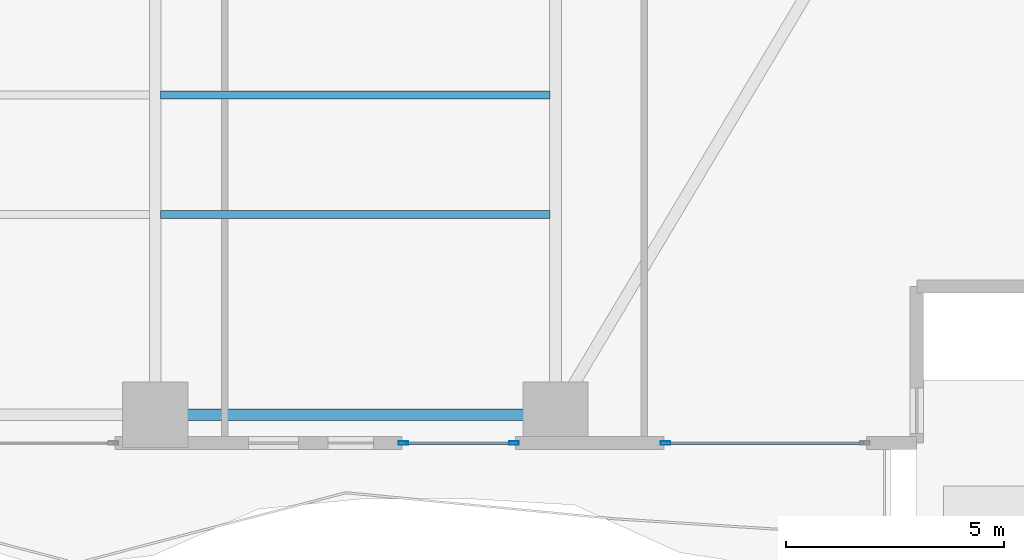
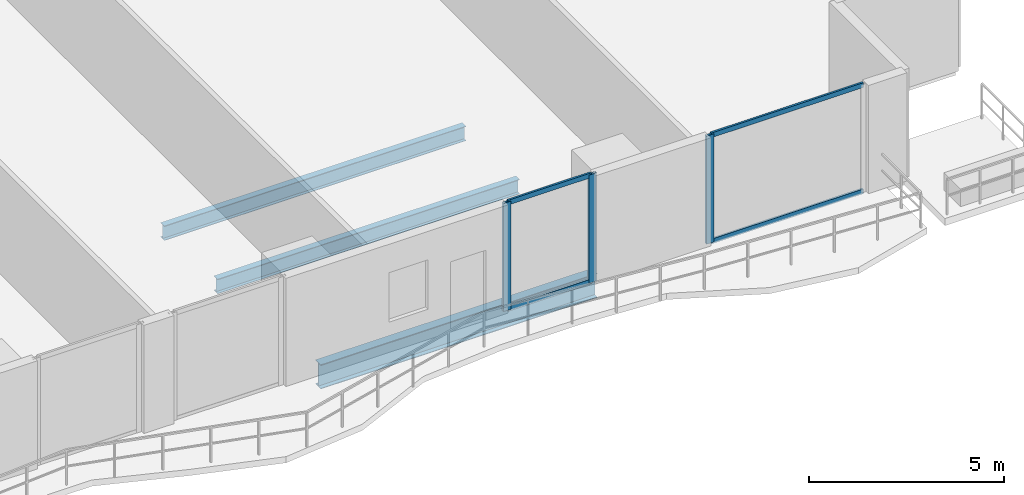
# One storey, part 8 of 30: 7 members, 3 beams, 2 elements without a shape of their own.
"""IFC4 building model written with IfcOpenShell, lengths in metres."""

from ifc_helpers import new_model, si_unit, direction, frame, origin, origin_2d, place, context, subcontext, project, spatial, hollow_rectangle, i_section, extrude, material, layer, layer_set, material_profile, profile_set, type_object, element, aggregate, save


model = new_model("IFC4")

# Units and contexts
model_context = context("Model", 3, precision=1e-05, world=origin(), true_north=direction((0.0, 1.0)))
body_context = subcontext(model_context, "Body", "Model", "MODEL_VIEW")
ifc_project = project(units=[si_unit("LENGTHUNIT", "METRE"), si_unit("AREAUNIT", "SQUARE_METRE"), si_unit("VOLUMEUNIT", "CUBIC_METRE"), si_unit("PLANEANGLEUNIT", "RADIAN"), si_unit("MASSUNIT", "GRAM", prefix="KILO")], contexts=[model_context])

# Site, building, storey
site_placement = place(None, origin())
site = spatial("IfcSite", under=ifc_project, at=site_placement, CompositionType="ELEMENT")
building_placement = place(site_placement, origin())
building = spatial("IfcBuilding", under=site, at=building_placement, Name="Zuhayl Quay Hotel", CompositionType="ELEMENT")
storey_placement = place(building_placement, frame((0.0, 0.0, 86.0)))
storey = spatial("IfcBuildingStorey", under=building, at=storey_placement, Name="L21", CompositionType="ELEMENT", Elevation=86.0)

# Beams
ifc_material_1 = material(Name="Steel ASTM A992 Grade 50", Category="steel")
ifc_material_profile_1 = material_profile(ifc_material_1, i_section(OverallWidth=0.26708984375, OverallDepth=0.761962890625, WebThickness=0.014404296875, FlangeThickness=0.021484375, at=origin_2d()), Name="W30X116")
ifc_profile_set_1 = profile_set([ifc_material_profile_1], Name="Steel ASTM A992 Grade 50")
beam_type_1 = type_object("IfcBeamType", Name="BM_B1_W30X116", PredefinedType="BEAM", material=ifc_profile_set_1)
beam_placement = place(storey_placement, frame((5.10009765625, -22.449951171875, -0.60107421875), z_axis=(1.0, 0.0, 0.0), x_axis=(0.0, 1.0, 0.0)))
element("IfcBeam", 1, at=beam_placement, inside=storey, type_object=beam_type_1, Name="L21 Floor Beam RG_L21_03", PredefinedType="BEAM", context=body_context, shape_type="SweptSolid", body=[
    extrude(i_section(OverallWidth=0.26708984375, OverallDepth=0.761962890625, WebThickness=0.014404296875, FlangeThickness=0.021484375, at=origin_2d()), origin(), (0.0, 0.0, 1.0), 8.199951171875),
])
ifc_material_profile_2 = material_profile(ifc_material_1, i_section(OverallWidth=0.18994140625, OverallDepth=0.45703125, WebThickness=0.009033203125, FlangeThickness=0.014404296875, at=origin_2d()), Name="W18X50")
ifc_profile_set_2 = profile_set([ifc_material_profile_2], Name="Steel ASTM A992 Grade 50")
beam_type_2 = type_object("IfcBeamType", Name="BM_J2_W18X50", PredefinedType="JOIST", material=ifc_profile_set_2)
for number, where, z_axis, x_axis, name in (
    (2, (4.7255859375, -17.85009765625, -0.448486328125), (1.0, 0.0, 0.0), (0.0, 1.0, 0.0), "L21 Floor Beam FJ_L21_3_3"),
    (3, (4.7255859375, -15.10009765625, -0.448486328125), (1.0, 0.0, 0.0), (0.0, 1.0, 0.0), "L21 Floor Beam FJ_L21_4_3"),
):
    element("IfcBeam", number, at=place(storey_placement, frame(where, z_axis=z_axis, x_axis=x_axis)), inside=storey, type_object=beam_type_2, Name=name, PredefinedType="JOIST", context=body_context, shape_type="SweptSolid", body=[
        extrude(i_section(OverallWidth=0.18994140625, OverallDepth=0.45703125, WebThickness=0.009033203125, FlangeThickness=0.014404296875, at=origin_2d()), origin(), (0.0, 0.0, 1.0), 8.948974609375),
    ])

# Curtain wall, member
ifc_material_2 = material(Name="Anodised Aluminium 6063-T6", Category="aluminium")
ifc_layer = layer(ifc_material_2, 0.18994140625, Name="Anodised Aluminium 6063-T6", Category="aluminium")
ifc_layer_set = layer_set([ifc_layer], Name="Anodised Aluminium 6063-T6")
curtain_wall_type = type_object("IfcCurtainWallType", Name="CW_SYS_Z1", PredefinedType="USERDEFINED", material=ifc_layer_set)
curtain_wall_1_placement = place(storey_placement, origin())
curtain_wall_1 = element("IfcCurtainWall", 4, at=curtain_wall_1_placement, inside=storey, type_object=curtain_wall_type, Name="L21 Curtain Wall ENV_L21_S_CW1", ObjectType="UNITISED CURTAIN WALL", PredefinedType="USERDEFINED")
ifc_material_3 = material(Name="Black-anodised aluminium 6063-T6", Category="aluminium")
ifc_material_profile_3 = material_profile(ifc_material_3, hollow_rectangle(XDim=0.074951171875, YDim=0.219970703125, WallThickness=0.00390625, at=origin_2d()), Name="ALU220X75")
ifc_profile_set_3 = profile_set([ifc_material_profile_3], Name="Black-anodised aluminium 6063-T6")
member_type_1 = type_object("IfcMemberType", Name="MB_CW_MUL_220", PredefinedType="MULLION", material=ifc_profile_set_3)
member_1_placement = place(storey_placement, frame((16.327392578125, -23.10009765625, 0.0), z_axis=(0.0, 0.0, 1.0), x_axis=(0.0, -1.0, 0.0)))
member_1 = element("IfcMember", 5, at=member_1_placement, type_object=member_type_1, Name="CW-Z1 mullion 2", PredefinedType="MULLION", context=body_context, shape_type="SweptSolid", body=[
    extrude(hollow_rectangle(XDim=0.074951171875, YDim=0.219970703125, WallThickness=0.00390625, at=origin_2d()), origin(), (0.0, 0.0, 1.0), 3.389892578125),
])

# Curtain wall, members
curtain_wall_2_placement = place(storey_placement, origin())
curtain_wall_2 = element("IfcCurtainWall", 6, at=curtain_wall_2_placement, inside=storey, type_object=curtain_wall_type, Name="L21 Curtain Wall ENV_L21_S_CW2", ObjectType="UNITISED CURTAIN WALL", PredefinedType="USERDEFINED")
member_2_placement = place(storey_placement, frame((12.842529296875, -23.10009765625, 0.0), z_axis=(0.0, 0.0, 1.0), x_axis=(0.0, -1.0, 0.0)))
member_2 = element("IfcMember", 7, at=member_2_placement, type_object=member_type_1, Name="CW-Z1 mullion 1", PredefinedType="MULLION", context=body_context, shape_type="SweptSolid", body=[
    extrude(hollow_rectangle(XDim=0.074951171875, YDim=0.219970703125, WallThickness=0.00390625, at=origin_2d()), origin(), (0.0, 0.0, 1.0), 3.389892578125),
])
member_3_placement = place(storey_placement, frame((10.304443359375, -23.10009765625, 0.0), z_axis=(0.0, 0.0, 1.0), x_axis=(0.0, -1.0, 0.0)))
member_3 = element("IfcMember", 8, at=member_3_placement, type_object=member_type_1, Name="CW-Z1 mullion 2", PredefinedType="MULLION", context=body_context, shape_type="SweptSolid", body=[
    extrude(hollow_rectangle(XDim=0.074951171875, YDim=0.219970703125, WallThickness=0.00390625, at=origin_2d()), origin(), (0.0, 0.0, 1.0), 3.389892578125),
])

# Member
ifc_material_profile_4 = material_profile(ifc_material_3, hollow_rectangle(XDim=0.06005859375, YDim=0.14990234375, WallThickness=0.00341796875, at=origin_2d()), Name="ALU150X60")
ifc_profile_set_4 = profile_set([ifc_material_profile_4], Name="Black-anodised aluminium 6063-T6")
member_type_2 = type_object("IfcMemberType", Name="MB_CW_TRN_150", PredefinedType="USERDEFINED", material=ifc_profile_set_4)
member_4_placement = place(storey_placement, frame((20.875, -23.10009765625, 0.030029296875), z_axis=(-1.0, 0.0, 0.0), x_axis=(0.0, -1.0, 0.0)))
member_4 = element("IfcMember", 9, at=member_4_placement, type_object=member_type_2, Name="CW-Z1 transom 1.1", ObjectType="TRANSOM", PredefinedType="USERDEFINED", context=body_context, shape_type="SweptSolid", body=[
    extrude(hollow_rectangle(XDim=0.06005859375, YDim=0.14990234375, WallThickness=0.00341796875, at=origin_2d()), origin(), (0.0, 0.0, 1.0), 4.510009765625),
])

member_5_placement = place(storey_placement, frame((20.875, -23.10009765625, 3.360107421875), z_axis=(-1.0, 0.0, 0.0), x_axis=(0.0, -1.0, 0.0)))
member_5 = element("IfcMember", 10, at=member_5_placement, type_object=member_type_2, Name="CW-Z1 transom 1.2", ObjectType="TRANSOM", PredefinedType="USERDEFINED", context=body_context, shape_type="SweptSolid", body=[
    extrude(hollow_rectangle(XDim=0.06005859375, YDim=0.14990234375, WallThickness=0.00341796875, at=origin_2d()), origin(), (0.0, 0.0, 1.0), 4.510009765625),
])

aggregate(curtain_wall_1, [member_1, member_4, member_5])

member_6_placement = place(storey_placement, frame((12.804931640625, -23.10009765625, 0.030029296875), z_axis=(-1.0, 0.0, 0.0), x_axis=(0.0, -1.0, 0.0)))
member_6 = element("IfcMember", 11, at=member_6_placement, type_object=member_type_2, Name="CW-Z1 transom 1.1", ObjectType="TRANSOM", PredefinedType="USERDEFINED", context=body_context, shape_type="SweptSolid", body=[
    extrude(hollow_rectangle(XDim=0.06005859375, YDim=0.14990234375, WallThickness=0.00341796875, at=origin_2d()), origin(), (0.0, 0.0, 1.0), 2.462890625),
])

member_7_placement = place(storey_placement, frame((12.804931640625, -23.10009765625, 3.360107421875), z_axis=(-1.0, 0.0, 0.0), x_axis=(0.0, -1.0, 0.0)))
member_7 = element("IfcMember", 12, at=member_7_placement, type_object=member_type_2, Name="CW-Z1 transom 1.2", ObjectType="TRANSOM", PredefinedType="USERDEFINED", context=body_context, shape_type="SweptSolid", body=[
    extrude(hollow_rectangle(XDim=0.06005859375, YDim=0.14990234375, WallThickness=0.00341796875, at=origin_2d()), origin(), (0.0, 0.0, 1.0), 2.462890625),
])

aggregate(curtain_wall_2, [member_2, member_3, member_6, member_7])

save(model, "model.ifc")
